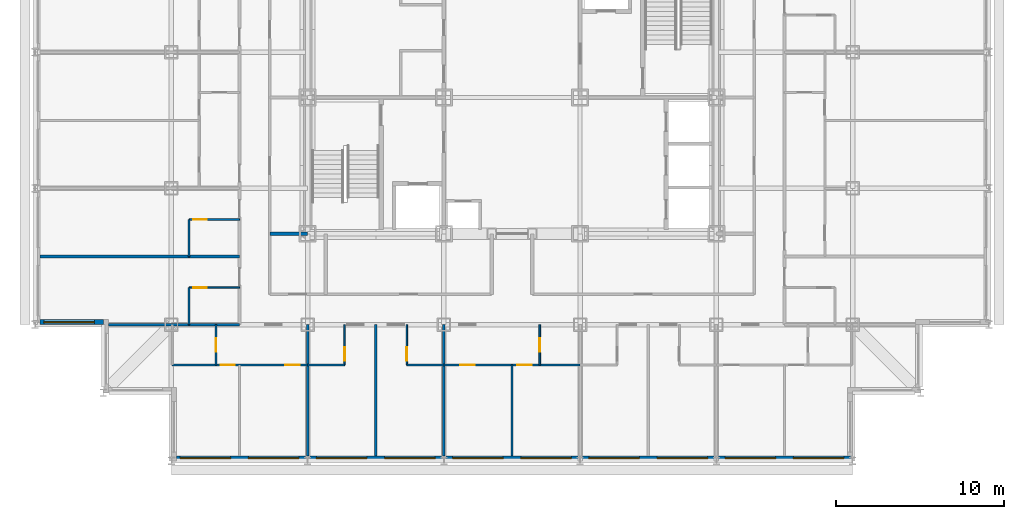
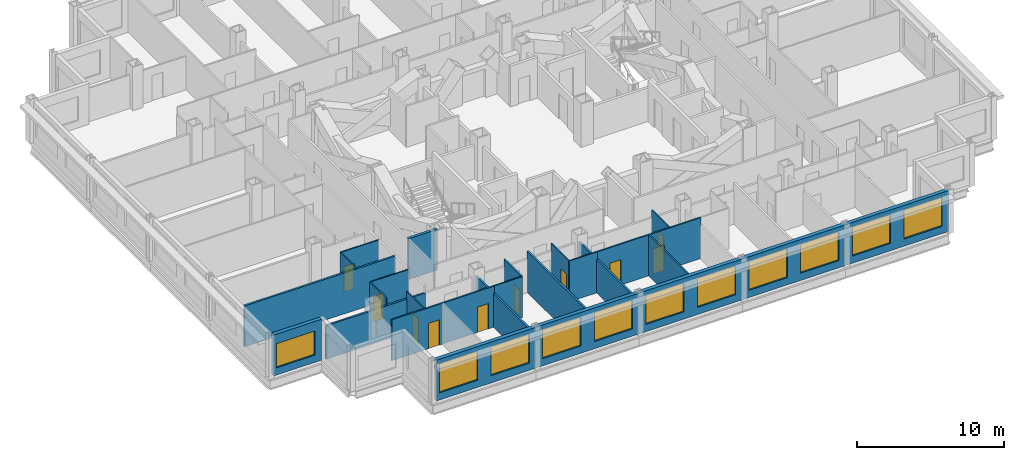
# One storey, part 4 of 12: 21 walls, 11 windows, 10 doors, 21 openings.
"""IFC4 building model written with IfcOpenShell, lengths in metres."""

from ifc_helpers import new_model, si_unit, direction, frame, frame_2d, origin, place, context, subcontext, project, spatial, rectangle, extrude, material, layer, layer_set, type_object, element, fill, save


model = new_model("IFC4")

# Units and contexts
model_context = context("Model", 3, precision=1e-05, world=origin(), true_north=direction((0.0, 1.0)))
body_context = subcontext(model_context, "Body", "Model", "MODEL_VIEW")
ifc_project = project(units=[si_unit("LENGTHUNIT", "METRE"), si_unit("AREAUNIT", "SQUARE_METRE"), si_unit("VOLUMEUNIT", "CUBIC_METRE"), si_unit("PLANEANGLEUNIT", "RADIAN"), si_unit("MASSUNIT", "GRAM", prefix="KILO")], contexts=[model_context])

# Site, building, storey
site_placement = place(None, origin())
site = spatial("IfcSite", under=ifc_project, at=site_placement, CompositionType="ELEMENT")
building_placement = place(site_placement, origin())
building = spatial("IfcBuilding", under=site, at=building_placement, Name="Kopane Lantern Tower", CompositionType="ELEMENT")
storey_placement = place(building_placement, frame((0.0, 0.0, 170.39990234375)))
storey = spatial("IfcBuildingStorey", under=building, at=storey_placement, Name="L43", CompositionType="ELEMENT", Elevation=170.39990234375)

# Wall, openings, doors
ifc_material_1 = material(Name="Gypsum board on steel studs", Category="steel")
ifc_layer_1 = layer(ifc_material_1, 0.1201171875)
ifc_layer_set_1 = layer_set([ifc_layer_1], Name="APARTMENT INTERNAL WALL 120")
wall_type_1 = type_object("IfcWallType", Name="APARTMENT INTERNAL WALL 120", PredefinedType="PARTITIONING", material=ifc_layer_set_1)
wall_1_placement = place(storey_placement, frame((24.300048828125, 16.5, 0.0), z_axis=(0.0, 0.0, 1.0), x_axis=(1.0, 0.0, 0.0)))
wall_1 = element("IfcWall", 1, at=wall_1_placement, inside=storey, type_object=wall_type_1, Name="Apartment Internal Wall 120 L43", PredefinedType="PARTITIONING", context=body_context, shape_type="SweptSolid", body=[
    extrude(rectangle(XDim=8.099853515625, YDim=0.1201171875, at=frame_2d((4.0498046875, 0.0))), origin(), (0.0, 0.0, 1.0), 3.39013671875),
])
opening_1_placement = place(wall_1_placement, frame((0.97509765625, 0.0, 0.0)))
opening_1 = element("IfcOpeningElement", 2, at=opening_1_placement, cuts=wall_1, Name="Opening L43-014", PredefinedType="OPENING", context=body_context, shape_type="SweptSolid", body=[
    extrude(rectangle(XDim=0.85009765625, YDim=2.10009765625, at=frame_2d((0.425048828125, 1.050048828125))), frame((0.0, 0.070068359375, 0.0), z_axis=(0.0, -1.0, 0.0), x_axis=(1.0, 0.0, 0.0)), (0.0, 0.0, 1.0), 0.14013671875),
])
opening_2_placement = place(wall_1_placement, frame((4.375, 0.0, 0.0)))
opening_2 = element("IfcOpeningElement", 3, at=opening_2_placement, cuts=wall_1, Name="Opening L43-015", PredefinedType="OPENING", context=body_context, shape_type="SweptSolid", body=[
    extrude(rectangle(XDim=0.85009765625, YDim=2.10009765625, at=frame_2d((0.425048828125, 1.050048828125))), frame((0.0, 0.070068359375, 0.0), z_axis=(0.0, -1.0, 0.0), x_axis=(1.0, 0.0, 0.0)), (0.0, 0.0, 1.0), 0.14013671875),
])
ifc_material_2 = material(Name="Timber door set", Category="wood")
door_type_1 = type_object("IfcDoorType", Name="DOOR D4 850x2100", OperationType="SINGLE_SWING_LEFT", PredefinedType="DOOR", material=ifc_material_2)
door_1_placement = place(opening_1_placement, origin())
door_1 = element("IfcDoor", 4, at=door_1_placement, inside=storey, type_object=door_type_1, Name="Door L43-014", OperationType="SINGLE_SWING_LEFT", OverallHeight=2.10009765625, OverallWidth=0.85009765625, PredefinedType="DOOR", context=body_context, shape_type="SweptSolid", body=[
    extrude(rectangle(XDim=0.85009765625, YDim=2.10009765625, at=frame_2d((0.425048828125, 1.050048828125))), frame((0.0, 0.02490234375, 0.0), z_axis=(0.0, -1.0, 0.0), x_axis=(1.0, 0.0, 0.0)), (0.0, 0.0, 1.0), 0.050048828125),
])
fill(opening_1, door_1)
door_2_placement = place(opening_2_placement, origin())
door_2 = element("IfcDoor", 5, at=door_2_placement, inside=storey, type_object=door_type_1, Name="Door L43-015", OperationType="SINGLE_SWING_RIGHT", OverallHeight=2.10009765625, OverallWidth=0.85009765625, PredefinedType="DOOR", context=body_context, shape_type="SweptSolid", body=[
    extrude(rectangle(XDim=0.85009765625, YDim=2.10009765625, at=frame_2d((0.425048828125, 1.050048828125))), frame((0.0, 0.02490234375, 0.0), z_axis=(0.0, -1.0, 0.0), x_axis=(1.0, 0.0, 0.0)), (0.0, 0.0, 1.0), 0.050048828125),
])
fill(opening_2, door_2)

# Wall
wall_2_placement = place(storey_placement, frame((28.35009765625, 16.5, 0.0), z_axis=(0.0, 0.0, 1.0), x_axis=(0.0, -1.0, 0.0)))
element("IfcWall", 6, at=wall_2_placement, inside=storey, type_object=wall_type_1, Name="Apartment Internal Wall 120 L43", PredefinedType="PARTITIONING", context=body_context, shape_type="SweptSolid", body=[
    extrude(rectangle(XDim=5.39990234375, YDim=0.1201171875, at=frame_2d((2.699951171875, 0.0))), origin(), (0.0, 0.0, 1.0), 3.39013671875),
])

# Wall, openings, doors
wall_3_placement = place(storey_placement, frame((8.14990234375, 16.5, 0.0), z_axis=(0.0, 0.0, 1.0), x_axis=(1.0, 0.0, 0.0)))
wall_3 = element("IfcWall", 7, at=wall_3_placement, inside=storey, type_object=wall_type_1, Name="Apartment Internal Wall 120 L43", PredefinedType="PARTITIONING", context=body_context, shape_type="SweptSolid", body=[
    extrude(rectangle(XDim=8.050048828125, YDim=0.1201171875, at=frame_2d((4.02490234375, 0.0))), origin(), (0.0, 0.0, 1.0), 3.39013671875),
])
opening_3_placement = place(wall_3_placement, frame((6.72509765625, 0.0, 0.0)))
opening_3 = element("IfcOpeningElement", 8, at=opening_3_placement, cuts=wall_3, Name="Opening L43-055", PredefinedType="OPENING", context=body_context, shape_type="SweptSolid", body=[
    extrude(rectangle(XDim=0.85009765625, YDim=2.10009765625, at=frame_2d((0.425048828125, 1.050048828125))), frame((0.0, 0.070068359375, 0.0), z_axis=(0.0, -1.0, 0.0), x_axis=(1.0, 0.0, 0.0)), (0.0, 0.0, 1.0), 0.14013671875),
])
opening_4_placement = place(wall_3_placement, frame((2.875, 0.0, 0.0)))
opening_4 = element("IfcOpeningElement", 9, at=opening_4_placement, cuts=wall_3, Name="Opening L43-057", PredefinedType="OPENING", context=body_context, shape_type="SweptSolid", body=[
    extrude(rectangle(XDim=0.85009765625, YDim=2.10009765625, at=frame_2d((0.425048828125, 1.050048828125))), frame((0.0, 0.070068359375, 0.0), z_axis=(0.0, -1.0, 0.0), x_axis=(1.0, 0.0, 0.0)), (0.0, 0.0, 1.0), 0.14013671875),
])
door_3_placement = place(opening_3_placement, origin())
door_3 = element("IfcDoor", 10, at=door_3_placement, inside=storey, type_object=door_type_1, Name="Door L43-055", OperationType="SINGLE_SWING_RIGHT", OverallHeight=2.10009765625, OverallWidth=0.85009765625, PredefinedType="DOOR", context=body_context, shape_type="SweptSolid", body=[
    extrude(rectangle(XDim=0.85009765625, YDim=2.10009765625, at=frame_2d((0.425048828125, 1.050048828125))), frame((0.0, 0.02490234375, 0.0), z_axis=(0.0, -1.0, 0.0), x_axis=(1.0, 0.0, 0.0)), (0.0, 0.0, 1.0), 0.050048828125),
])
fill(opening_3, door_3)
door_4_placement = place(opening_4_placement, origin())
door_4 = element("IfcDoor", 11, at=door_4_placement, inside=storey, type_object=door_type_1, Name="Door L43-057", OperationType="SINGLE_SWING_LEFT", OverallHeight=2.10009765625, OverallWidth=0.85009765625, PredefinedType="DOOR", context=body_context, shape_type="SweptSolid", body=[
    extrude(rectangle(XDim=0.85009765625, YDim=2.10009765625, at=frame_2d((0.425048828125, 1.050048828125))), frame((0.0, 0.02490234375, 0.0), z_axis=(0.0, -1.0, 0.0), x_axis=(1.0, 0.0, 0.0)), (0.0, 0.0, 1.0), 0.050048828125),
])
fill(opening_4, door_4)

# Wall
ifc_material_3 = material(Name="Moisture-resistant board on steel studs", Category="steel")
ifc_layer_2 = layer(ifc_material_3, 0.10009765625)
ifc_layer_set_2 = layer_set([ifc_layer_2], Name="BATHROOM WALL 100")
wall_type_2 = type_object("IfcWallType", Name="BATHROOM WALL 100", PredefinedType="PARTITIONING", material=ifc_layer_set_2)
wall_4_placement = place(storey_placement, frame((16.199951171875, 16.5, 0.0), z_axis=(0.0, 0.0, 1.0), x_axis=(1.0, 0.0, 0.0)))
element("IfcWall", 12, at=wall_4_placement, inside=storey, type_object=wall_type_2, Name="Bathroom Wall 100 L43", PredefinedType="PARTITIONING", context=body_context, shape_type="SweptSolid", body=[
    extrude(rectangle(XDim=2.199951171875, YDim=0.10009765625, at=frame_2d((1.10009765625, 0.0))), origin(), (0.0, 0.0, 1.0), 3.39013671875),
])

# Wall, opening, door
wall_5_placement = place(storey_placement, frame((18.39990234375, 18.89990234375, 0.0), z_axis=(0.0, 0.0, 1.0), x_axis=(0.0, -1.0, 0.0)))
wall_5 = element("IfcWall", 13, at=wall_5_placement, inside=storey, type_object=wall_type_2, Name="Bathroom Wall 100 L43", PredefinedType="PARTITIONING", context=body_context, shape_type="SweptSolid", body=[
    extrude(rectangle(XDim=2.39990234375, YDim=0.10009765625, at=frame_2d((1.199951171875, 0.0))), origin(), (0.0, 0.0, 1.0), 3.39013671875),
])
opening_5_placement = place(wall_5_placement, frame((1.35009765625, 0.0, 0.0)))
opening_5 = element("IfcOpeningElement", 14, at=opening_5_placement, cuts=wall_5, Name="Opening L43-008", PredefinedType="OPENING", context=body_context, shape_type="SweptSolid", body=[
    extrude(rectangle(XDim=0.800048828125, YDim=2.10009765625, at=frame_2d((0.39990234375, 1.050048828125))), frame((0.0, 0.06005859375, 0.0), z_axis=(0.0, -1.0, 0.0), x_axis=(1.0, 0.0, 0.0)), (0.0, 0.0, 1.0), 0.1201171875),
])
ifc_material_4 = material(Name="Timber door set", Category="wood")
door_type_2 = type_object("IfcDoorType", Name="DOOR D2 800x2100", OperationType="SINGLE_SWING_LEFT", PredefinedType="DOOR", material=ifc_material_4)
door_5_placement = place(opening_5_placement, origin())
door_5 = element("IfcDoor", 15, at=door_5_placement, inside=storey, type_object=door_type_2, Name="Door L43-008", OperationType="SINGLE_SWING_LEFT", OverallHeight=2.10009765625, OverallWidth=0.800048828125, PredefinedType="DOOR", context=body_context, shape_type="SweptSolid", body=[
    extrude(rectangle(XDim=0.800048828125, YDim=2.10009765625, at=frame_2d((0.39990234375, 1.050048828125))), frame((0.0, 0.02490234375, 0.0), z_axis=(0.0, -1.0, 0.0), x_axis=(1.0, 0.0, 0.0)), (0.0, 0.0, 1.0), 0.050048828125),
])
fill(opening_5, door_5)

# Wall
wall_6_placement = place(storey_placement, frame((22.10009765625, 16.5, 0.0), z_axis=(0.0, 0.0, 1.0), x_axis=(1.0, 0.0, 0.0)))
element("IfcWall", 16, at=wall_6_placement, inside=storey, type_object=wall_type_2, Name="Bathroom Wall 100 L43", PredefinedType="PARTITIONING", context=body_context, shape_type="SweptSolid", body=[
    extrude(rectangle(XDim=2.199951171875, YDim=0.10009765625, at=frame_2d((1.10009765625, 0.0))), origin(), (0.0, 0.0, 1.0), 3.39013671875),
])

# Wall, opening, door
wall_7_placement = place(storey_placement, frame((22.10009765625, 18.89990234375, 0.0), z_axis=(0.0, 0.0, 1.0), x_axis=(0.0, -1.0, 0.0)))
wall_7 = element("IfcWall", 17, at=wall_7_placement, inside=storey, type_object=wall_type_2, Name="Bathroom Wall 100 L43", PredefinedType="PARTITIONING", context=body_context, shape_type="SweptSolid", body=[
    extrude(rectangle(XDim=2.39990234375, YDim=0.10009765625, at=frame_2d((1.199951171875, 0.0))), origin(), (0.0, 0.0, 1.0), 3.39013671875),
])
opening_6_placement = place(wall_7_placement, frame((1.35009765625, 0.0, 0.0)))
opening_6 = element("IfcOpeningElement", 18, at=opening_6_placement, cuts=wall_7, Name="Opening L43-010", PredefinedType="OPENING", context=body_context, shape_type="SweptSolid", body=[
    extrude(rectangle(XDim=0.800048828125, YDim=2.10009765625, at=frame_2d((0.39990234375, 1.050048828125))), frame((0.0, 0.06005859375, 0.0), z_axis=(0.0, -1.0, 0.0), x_axis=(1.0, 0.0, 0.0)), (0.0, 0.0, 1.0), 0.1201171875),
])
door_6_placement = place(opening_6_placement, origin())
door_6 = element("IfcDoor", 19, at=door_6_placement, inside=storey, type_object=door_type_2, Name="Door L43-010", OperationType="SINGLE_SWING_RIGHT", OverallHeight=2.10009765625, OverallWidth=0.800048828125, PredefinedType="DOOR", context=body_context, shape_type="SweptSolid", body=[
    extrude(rectangle(XDim=0.800048828125, YDim=2.10009765625, at=frame_2d((0.39990234375, 1.050048828125))), frame((0.0, 0.02490234375, 0.0), z_axis=(0.0, -1.0, 0.0), x_axis=(1.0, 0.0, 0.0)), (0.0, 0.0, 1.0), 0.050048828125),
])
fill(opening_6, door_6)

wall_8_placement = place(storey_placement, frame((30.0, 18.89990234375, 0.0), z_axis=(0.0, 0.0, 1.0), x_axis=(0.0, -1.0, 0.0)))
wall_8 = element("IfcWall", 20, at=wall_8_placement, inside=storey, type_object=wall_type_2, Name="Bathroom Wall 100 L43", PredefinedType="PARTITIONING", context=body_context, shape_type="SweptSolid", body=[
    extrude(rectangle(XDim=2.39990234375, YDim=0.10009765625, at=frame_2d((1.199951171875, 0.0))), origin(), (0.0, 0.0, 1.0), 3.39013671875),
])
opening_7_placement = place(wall_8_placement, frame((0.800048828125, 0.0, 0.0)))
opening_7 = element("IfcOpeningElement", 21, at=opening_7_placement, cuts=wall_8, Name="Opening L43-012", PredefinedType="OPENING", context=body_context, shape_type="SweptSolid", body=[
    extrude(rectangle(XDim=0.800048828125, YDim=2.10009765625, at=frame_2d((0.39990234375, 1.050048828125))), frame((0.0, 0.06005859375, 0.0), z_axis=(0.0, -1.0, 0.0), x_axis=(1.0, 0.0, 0.0)), (0.0, 0.0, 1.0), 0.1201171875),
])
door_7_placement = place(opening_7_placement, origin())
door_7 = element("IfcDoor", 22, at=door_7_placement, inside=storey, type_object=door_type_2, Name="Door L43-012", OperationType="SINGLE_SWING_LEFT", OverallHeight=2.10009765625, OverallWidth=0.800048828125, PredefinedType="DOOR", context=body_context, shape_type="SweptSolid", body=[
    extrude(rectangle(XDim=0.800048828125, YDim=2.10009765625, at=frame_2d((0.39990234375, 1.050048828125))), frame((0.0, 0.02490234375, 0.0), z_axis=(0.0, -1.0, 0.0), x_axis=(1.0, 0.0, 0.0)), (0.0, 0.0, 1.0), 0.050048828125),
])
fill(opening_7, door_7)

# Wall
wall_9_placement = place(storey_placement, frame((9.14990234375, 18.89990234375, 0.0), z_axis=(0.0, 0.0, 1.0), x_axis=(0.0, 1.0, 0.0)))
element("IfcWall", 23, at=wall_9_placement, inside=storey, type_object=wall_type_2, Name="Bathroom Wall 100 L43", PredefinedType="PARTITIONING", context=body_context, shape_type="SweptSolid", body=[
    extrude(rectangle(XDim=2.2001953125, YDim=0.10009765625, at=frame_2d((1.10009765625, 0.0))), origin(), (0.0, 0.0, 1.0), 3.39013671875),
])

# Wall, opening, door
wall_10_placement = place(storey_placement, frame((12.14990234375, 21.10009765625, 0.0), z_axis=(0.0, 0.0, 1.0), x_axis=(-1.0, 0.0, 0.0)))
wall_10 = element("IfcWall", 24, at=wall_10_placement, inside=storey, type_object=wall_type_2, Name="Bathroom Wall 100 L43", PredefinedType="PARTITIONING", context=body_context, shape_type="SweptSolid", body=[
    extrude(rectangle(XDim=3.0, YDim=0.10009765625, at=frame_2d((1.5, 0.0))), origin(), (0.0, 0.0, 1.0), 3.39013671875),
])
opening_8_placement = place(wall_10_placement, frame((1.949951171875, 0.0, 0.0)))
opening_8 = element("IfcOpeningElement", 25, at=opening_8_placement, cuts=wall_10, Name="Opening L43-032", PredefinedType="OPENING", context=body_context, shape_type="SweptSolid", body=[
    extrude(rectangle(XDim=0.800048828125, YDim=2.10009765625, at=frame_2d((0.39990234375, 1.050048828125))), frame((0.0, 0.06005859375, 0.0), z_axis=(0.0, -1.0, 0.0), x_axis=(1.0, 0.0, 0.0)), (0.0, 0.0, 1.0), 0.1201171875),
])
door_8_placement = place(opening_8_placement, origin())
door_8 = element("IfcDoor", 26, at=door_8_placement, inside=storey, type_object=door_type_2, Name="Door L43-032", OperationType="SINGLE_SWING_RIGHT", OverallHeight=2.10009765625, OverallWidth=0.800048828125, PredefinedType="DOOR", context=body_context, shape_type="SweptSolid", body=[
    extrude(rectangle(XDim=0.800048828125, YDim=2.10009765625, at=frame_2d((0.39990234375, 1.050048828125))), frame((0.0, 0.02490234375, 0.0), z_axis=(0.0, -1.0, 0.0), x_axis=(1.0, 0.0, 0.0)), (0.0, 0.0, 1.0), 0.050048828125),
])
fill(opening_8, door_8)

# Wall
wall_11_placement = place(storey_placement, frame((9.14990234375, 22.949951171875, 0.0), z_axis=(0.0, 0.0, 1.0), x_axis=(0.0, 1.0, 0.0)))
element("IfcWall", 27, at=wall_11_placement, inside=storey, type_object=wall_type_2, Name="Bathroom Wall 100 L43", PredefinedType="PARTITIONING", context=body_context, shape_type="SweptSolid", body=[
    extrude(rectangle(XDim=2.199951171875, YDim=0.10009765625, at=frame_2d((1.10009765625, 0.0))), origin(), (0.0, 0.0, 1.0), 3.39013671875),
])

# Wall, opening, door
wall_12_placement = place(storey_placement, frame((12.14990234375, 25.14990234375, 0.0), z_axis=(0.0, 0.0, 1.0), x_axis=(-1.0, 0.0, 0.0)))
wall_12 = element("IfcWall", 28, at=wall_12_placement, inside=storey, type_object=wall_type_2, Name="Bathroom Wall 100 L43", PredefinedType="PARTITIONING", context=body_context, shape_type="SweptSolid", body=[
    extrude(rectangle(XDim=3.0, YDim=0.10009765625, at=frame_2d((1.5, 0.0))), origin(), (0.0, 0.0, 1.0), 3.39013671875),
])
opening_9_placement = place(wall_12_placement, frame((1.949951171875, 0.0, 0.0)))
opening_9 = element("IfcOpeningElement", 29, at=opening_9_placement, cuts=wall_12, Name="Opening L43-034", PredefinedType="OPENING", context=body_context, shape_type="SweptSolid", body=[
    extrude(rectangle(XDim=0.800048828125, YDim=2.10009765625, at=frame_2d((0.39990234375, 1.050048828125))), frame((0.0, 0.06005859375, 0.0), z_axis=(0.0, -1.0, 0.0), x_axis=(1.0, 0.0, 0.0)), (0.0, 0.0, 1.0), 0.1201171875),
])
door_9_placement = place(opening_9_placement, origin())
door_9 = element("IfcDoor", 30, at=door_9_placement, inside=storey, type_object=door_type_2, Name="Door L43-034", OperationType="SINGLE_SWING_RIGHT", OverallHeight=2.10009765625, OverallWidth=0.800048828125, PredefinedType="DOOR", context=body_context, shape_type="SweptSolid", body=[
    extrude(rectangle(XDim=0.800048828125, YDim=2.10009765625, at=frame_2d((0.39990234375, 1.050048828125))), frame((0.0, 0.02490234375, 0.0), z_axis=(0.0, -1.0, 0.0), x_axis=(1.0, 0.0, 0.0)), (0.0, 0.0, 1.0), 0.050048828125),
])
fill(opening_9, door_9)

wall_13_placement = place(storey_placement, frame((10.75, 18.89990234375, 0.0), z_axis=(0.0, 0.0, 1.0), x_axis=(0.0, -1.0, 0.0)))
wall_13 = element("IfcWall", 31, at=wall_13_placement, inside=storey, type_object=wall_type_2, Name="Bathroom Wall 100 L43", PredefinedType="PARTITIONING", context=body_context, shape_type="SweptSolid", body=[
    extrude(rectangle(XDim=2.39990234375, YDim=0.10009765625, at=frame_2d((1.199951171875, 0.0))), origin(), (0.0, 0.0, 1.0), 3.39013671875),
])
opening_10_placement = place(wall_13_placement, frame((0.800048828125, 0.0, 0.0)))
opening_10 = element("IfcOpeningElement", 32, at=opening_10_placement, cuts=wall_13, Name="Opening L43-056", PredefinedType="OPENING", context=body_context, shape_type="SweptSolid", body=[
    extrude(rectangle(XDim=0.800048828125, YDim=2.10009765625, at=frame_2d((0.39990234375, 1.050048828125))), frame((0.0, 0.06005859375, 0.0), z_axis=(0.0, -1.0, 0.0), x_axis=(1.0, 0.0, 0.0)), (0.0, 0.0, 1.0), 0.1201171875),
])
door_10_placement = place(opening_10_placement, origin())
door_10 = element("IfcDoor", 33, at=door_10_placement, inside=storey, type_object=door_type_2, Name="Door L43-056", OperationType="SINGLE_SWING_RIGHT", OverallHeight=2.10009765625, OverallWidth=0.800048828125, PredefinedType="DOOR", context=body_context, shape_type="SweptSolid", body=[
    extrude(rectangle(XDim=0.800048828125, YDim=2.10009765625, at=frame_2d((0.39990234375, 1.050048828125))), frame((0.0, 0.02490234375, 0.0), z_axis=(0.0, -1.0, 0.0), x_axis=(1.0, 0.0, 0.0)), (0.0, 0.0, 1.0), 0.050048828125),
])
fill(opening_10, door_10)

# Walls
ifc_material_5 = material(Name="Gypsum board on steel studs", Category="steel")
ifc_layer_3 = layer(ifc_material_5, 0.14990234375)
ifc_layer_set_3 = layer_set([ifc_layer_3], Name="DEMISING WALL 150 EI 60")
wall_type_3 = type_object("IfcWallType", Name="DEMISING WALL 150 EI 60", PredefinedType="PARTITIONING", material=ifc_layer_set_3)
wall_14_placement = place(storey_placement, frame((20.25, 18.89990234375, 0.0), z_axis=(0.0, 0.0, 1.0), x_axis=(0.0, -1.0, 0.0)))
element("IfcWall", 34, at=wall_14_placement, inside=storey, type_object=wall_type_3, Name="Demising Wall 150 Ei 60 L43", PredefinedType="PARTITIONING", context=body_context, shape_type="SweptSolid", body=[
    extrude(rectangle(XDim=7.7998046875, YDim=0.14990234375, at=frame_2d((3.89990234375, 0.0))), origin(), (0.0, 0.0, 1.0), 3.39013671875),
])
wall_15_placement = place(storey_placement, frame((24.300048828125, 18.89990234375, 0.0), z_axis=(0.0, 0.0, 1.0), x_axis=(0.0, -1.0, 0.0)))
element("IfcWall", 35, at=wall_15_placement, inside=storey, type_object=wall_type_3, Name="Demising Wall 150 Ei 60 L43", PredefinedType="PARTITIONING", context=body_context, shape_type="SweptSolid", body=[
    extrude(rectangle(XDim=7.7998046875, YDim=0.14990234375, at=frame_2d((3.89990234375, 0.0))), origin(), (0.0, 0.0, 1.0), 2.77783203125),
])
wall_16_placement = place(storey_placement, frame((12.14990234375, 22.949951171875, 0.0), z_axis=(0.0, 0.0, 1.0), x_axis=(-1.0, 0.0, 0.0)))
element("IfcWall", 36, at=wall_16_placement, inside=storey, type_object=wall_type_3, Name="Demising Wall 150 Ei 60 L43", PredefinedType="PARTITIONING", context=body_context, shape_type="SweptSolid", body=[
    extrude(rectangle(XDim=11.849853515625, YDim=0.14990234375, at=frame_2d((5.9248046875, 0.0))), origin(), (0.0, 0.0, 1.0), 3.39013671875),
])
for number, where, z_axis, x_axis, name in (
    (37, (4.35009765625, 18.89990234375, 0.0), (0.0, 0.0, 1.0), (1.0, 0.0, 0.0), "Demising Wall 150 Ei 60 L43"),
    (38, (16.199951171875, 18.89990234375, 0.0), (0.0, 0.0, 1.0), (0.0, -1.0, 0.0), "Demising Wall 150 Ei 60 L43"),
):
    element("IfcWall", number, at=place(storey_placement, frame(where, z_axis=z_axis, x_axis=x_axis)), inside=storey, type_object=wall_type_3, Name=name, PredefinedType="PARTITIONING", context=body_context, shape_type="SweptSolid", body=[
        extrude(rectangle(XDim=7.7998046875, YDim=0.14990234375, at=frame_2d((3.89990234375, 0.0))), origin(), (0.0, 0.0, 1.0), 2.77783203125),
    ])

# Wall, openings, windows
ifc_material_6 = material(Name="Terracotta rainscreen on light steel framing", Category="masonry")
ifc_layer_4 = layer(ifc_material_6, 0.300048828125)
ifc_layer_set_4 = layer_set([ifc_layer_4], Name="EXTERNAL WALL EW1 300 TERRACOTTA")
wall_type_4 = type_object("IfcWallType", Name="EXTERNAL WALL EW1 300 TERRACOTTA", PredefinedType="SOLIDWALL", material=ifc_layer_set_4)
wall_17_placement = place(storey_placement, frame((8.39990234375, 10.949951171875, 0.0), z_axis=(0.0, 0.0, 1.0), x_axis=(1.0, 0.0, 0.0)))
wall_17 = element("IfcWall", 39, at=wall_17_placement, inside=storey, type_object=wall_type_4, Name="External wall S L43", PredefinedType="SOLIDWALL", context=body_context, shape_type="SweptSolid", body=[
    extrude(rectangle(XDim=40.2001953125, YDim=0.300048828125, at=frame_2d((20.10009765625, 0.0))), origin(), (0.0, 0.0, 1.0), 3.39013671875),
])
opening_11_placement = place(wall_17_placement, frame((0.22509765625, 0.0, 0.60009765625)))
opening_11 = element("IfcOpeningElement", 40, at=opening_11_placement, cuts=wall_17, Name="Opening WR300240", PredefinedType="OPENING", context=body_context, shape_type="SweptSolid", body=[
    extrude(rectangle(XDim=3.0, YDim=2.39990234375, at=frame_2d((1.5, 1.199951171875))), frame((0.0, 0.159912109375, 0.0), z_axis=(0.0, -1.0, 0.0), x_axis=(1.0, 0.0, 0.0)), (0.0, 0.0, 1.0), 0.320068359375),
])
opening_12_placement = place(wall_17_placement, frame((4.27490234375, 0.0, 0.60009765625)))
opening_12 = element("IfcOpeningElement", 41, at=opening_12_placement, cuts=wall_17, Name="Opening WR300240", PredefinedType="OPENING", context=body_context, shape_type="SweptSolid", body=[
    extrude(rectangle(XDim=3.0, YDim=2.39990234375, at=frame_2d((1.5, 1.199951171875))), frame((0.0, 0.159912109375, 0.0), z_axis=(0.0, -1.0, 0.0), x_axis=(1.0, 0.0, 0.0)), (0.0, 0.0, 1.0), 0.320068359375),
])
opening_13_placement = place(wall_17_placement, frame((8.324951171875, 0.0, 0.60009765625)))
opening_13 = element("IfcOpeningElement", 42, at=opening_13_placement, cuts=wall_17, Name="Opening WR300240", PredefinedType="OPENING", context=body_context, shape_type="SweptSolid", body=[
    extrude(rectangle(XDim=3.0, YDim=2.39990234375, at=frame_2d((1.5, 1.199951171875))), frame((0.0, 0.159912109375, 0.0), z_axis=(0.0, -1.0, 0.0), x_axis=(1.0, 0.0, 0.0)), (0.0, 0.0, 1.0), 0.320068359375),
])
opening_14_placement = place(wall_17_placement, frame((12.375, 0.0, 0.60009765625)))
opening_14 = element("IfcOpeningElement", 43, at=opening_14_placement, cuts=wall_17, Name="Opening WR300240", PredefinedType="OPENING", context=body_context, shape_type="SweptSolid", body=[
    extrude(rectangle(XDim=3.0, YDim=2.39990234375, at=frame_2d((1.5, 1.199951171875))), frame((0.0, 0.159912109375, 0.0), z_axis=(0.0, -1.0, 0.0), x_axis=(1.0, 0.0, 0.0)), (0.0, 0.0, 1.0), 0.320068359375),
])
opening_15_placement = place(wall_17_placement, frame((16.425048828125, 0.0, 0.60009765625)))
opening_15 = element("IfcOpeningElement", 44, at=opening_15_placement, cuts=wall_17, Name="Opening WR300240", PredefinedType="OPENING", context=body_context, shape_type="SweptSolid", body=[
    extrude(rectangle(XDim=3.0, YDim=2.39990234375, at=frame_2d((1.5, 1.199951171875))), frame((0.0, 0.159912109375, 0.0), z_axis=(0.0, -1.0, 0.0), x_axis=(1.0, 0.0, 0.0)), (0.0, 0.0, 1.0), 0.320068359375),
])
opening_16_placement = place(wall_17_placement, frame((20.47509765625, 0.0, 0.60009765625)))
opening_16 = element("IfcOpeningElement", 45, at=opening_16_placement, cuts=wall_17, Name="Opening WR300240", PredefinedType="OPENING", context=body_context, shape_type="SweptSolid", body=[
    extrude(rectangle(XDim=3.0, YDim=2.39990234375, at=frame_2d((1.5, 1.199951171875))), frame((0.0, 0.159912109375, 0.0), z_axis=(0.0, -1.0, 0.0), x_axis=(1.0, 0.0, 0.0)), (0.0, 0.0, 1.0), 0.320068359375),
])
opening_17_placement = place(wall_17_placement, frame((24.52490234375, 0.0, 0.60009765625)))
opening_17 = element("IfcOpeningElement", 46, at=opening_17_placement, cuts=wall_17, Name="Opening WR300240", PredefinedType="OPENING", context=body_context, shape_type="SweptSolid", body=[
    extrude(rectangle(XDim=3.0, YDim=2.39990234375, at=frame_2d((1.5, 1.199951171875))), frame((0.0, 0.159912109375, 0.0), z_axis=(0.0, -1.0, 0.0), x_axis=(1.0, 0.0, 0.0)), (0.0, 0.0, 1.0), 0.320068359375),
])
opening_18_placement = place(wall_17_placement, frame((28.574951171875, 0.0, 0.60009765625)))
opening_18 = element("IfcOpeningElement", 47, at=opening_18_placement, cuts=wall_17, Name="Opening WR300240", PredefinedType="OPENING", context=body_context, shape_type="SweptSolid", body=[
    extrude(rectangle(XDim=3.0, YDim=2.39990234375, at=frame_2d((1.5, 1.199951171875))), frame((0.0, 0.159912109375, 0.0), z_axis=(0.0, -1.0, 0.0), x_axis=(1.0, 0.0, 0.0)), (0.0, 0.0, 1.0), 0.320068359375),
])
opening_19_placement = place(wall_17_placement, frame((32.625, 0.0, 0.60009765625)))
opening_19 = element("IfcOpeningElement", 48, at=opening_19_placement, cuts=wall_17, Name="Opening WR300240", PredefinedType="OPENING", context=body_context, shape_type="SweptSolid", body=[
    extrude(rectangle(XDim=3.0, YDim=2.39990234375, at=frame_2d((1.5, 1.199951171875))), frame((0.0, 0.159912109375, 0.0), z_axis=(0.0, -1.0, 0.0), x_axis=(1.0, 0.0, 0.0)), (0.0, 0.0, 1.0), 0.320068359375),
])
opening_20_placement = place(wall_17_placement, frame((36.675048828125, 0.0, 0.60009765625)))
opening_20 = element("IfcOpeningElement", 49, at=opening_20_placement, cuts=wall_17, Name="Opening WR300240", PredefinedType="OPENING", context=body_context, shape_type="SweptSolid", body=[
    extrude(rectangle(XDim=3.0, YDim=2.39990234375, at=frame_2d((1.5, 1.199951171875))), frame((0.0, 0.159912109375, 0.0), z_axis=(0.0, -1.0, 0.0), x_axis=(1.0, 0.0, 0.0)), (0.0, 0.0, 1.0), 0.320068359375),
])
ifc_material_7 = material(Name="Aluminium and clear glass", Category="aluminium")
window_type_1 = type_object("IfcWindowType", Name="RIBBON WINDOW WR300240 3000x2400", PartitioningType="SINGLE_PANEL", PredefinedType="WINDOW", material=ifc_material_7)
window_1_placement = place(opening_11_placement, origin())
window_1 = element("IfcWindow", 50, at=window_1_placement, inside=storey, type_object=window_type_1, Name="Window S L43", OverallHeight=2.39990234375, OverallWidth=3.0, PartitioningType="SINGLE_PANEL", PredefinedType="WINDOW", context=body_context, shape_type="SweptSolid", body=[
    extrude(rectangle(XDim=3.0, YDim=2.39990234375, at=frame_2d((1.5, 1.199951171875))), frame((0.0, 0.030029296875, 0.0), z_axis=(0.0, -1.0, 0.0), x_axis=(1.0, 0.0, 0.0)), (0.0, 0.0, 1.0), 0.06005859375),
])
fill(opening_11, window_1)
window_2_placement = place(opening_12_placement, origin())
window_2 = element("IfcWindow", 51, at=window_2_placement, inside=storey, type_object=window_type_1, Name="Window S L43", OverallHeight=2.39990234375, OverallWidth=3.0, PartitioningType="SINGLE_PANEL", PredefinedType="WINDOW", context=body_context, shape_type="SweptSolid", body=[
    extrude(rectangle(XDim=3.0, YDim=2.39990234375, at=frame_2d((1.5, 1.199951171875))), frame((0.0, 0.030029296875, 0.0), z_axis=(0.0, -1.0, 0.0), x_axis=(1.0, 0.0, 0.0)), (0.0, 0.0, 1.0), 0.06005859375),
])
fill(opening_12, window_2)
window_3_placement = place(opening_13_placement, origin())
window_3 = element("IfcWindow", 52, at=window_3_placement, inside=storey, type_object=window_type_1, Name="Window S L43", OverallHeight=2.39990234375, OverallWidth=3.0, PartitioningType="SINGLE_PANEL", PredefinedType="WINDOW", context=body_context, shape_type="SweptSolid", body=[
    extrude(rectangle(XDim=3.0, YDim=2.39990234375, at=frame_2d((1.5, 1.199951171875))), frame((0.0, 0.030029296875, 0.0), z_axis=(0.0, -1.0, 0.0), x_axis=(1.0, 0.0, 0.0)), (0.0, 0.0, 1.0), 0.06005859375),
])
fill(opening_13, window_3)
window_4_placement = place(opening_14_placement, origin())
window_4 = element("IfcWindow", 53, at=window_4_placement, inside=storey, type_object=window_type_1, Name="Window S L43", OverallHeight=2.39990234375, OverallWidth=3.0, PartitioningType="SINGLE_PANEL", PredefinedType="WINDOW", context=body_context, shape_type="SweptSolid", body=[
    extrude(rectangle(XDim=3.0, YDim=2.39990234375, at=frame_2d((1.5, 1.199951171875))), frame((0.0, 0.030029296875, 0.0), z_axis=(0.0, -1.0, 0.0), x_axis=(1.0, 0.0, 0.0)), (0.0, 0.0, 1.0), 0.06005859375),
])
fill(opening_14, window_4)
window_5_placement = place(opening_15_placement, origin())
window_5 = element("IfcWindow", 54, at=window_5_placement, inside=storey, type_object=window_type_1, Name="Window S L43", OverallHeight=2.39990234375, OverallWidth=3.0, PartitioningType="SINGLE_PANEL", PredefinedType="WINDOW", context=body_context, shape_type="SweptSolid", body=[
    extrude(rectangle(XDim=3.0, YDim=2.39990234375, at=frame_2d((1.5, 1.199951171875))), frame((0.0, 0.030029296875, 0.0), z_axis=(0.0, -1.0, 0.0), x_axis=(1.0, 0.0, 0.0)), (0.0, 0.0, 1.0), 0.06005859375),
])
fill(opening_15, window_5)
window_6_placement = place(opening_16_placement, origin())
window_6 = element("IfcWindow", 55, at=window_6_placement, inside=storey, type_object=window_type_1, Name="Window S L43", OverallHeight=2.39990234375, OverallWidth=3.0, PartitioningType="SINGLE_PANEL", PredefinedType="WINDOW", context=body_context, shape_type="SweptSolid", body=[
    extrude(rectangle(XDim=3.0, YDim=2.39990234375, at=frame_2d((1.5, 1.199951171875))), frame((0.0, 0.030029296875, 0.0), z_axis=(0.0, -1.0, 0.0), x_axis=(1.0, 0.0, 0.0)), (0.0, 0.0, 1.0), 0.06005859375),
])
fill(opening_16, window_6)
window_7_placement = place(opening_17_placement, origin())
window_7 = element("IfcWindow", 56, at=window_7_placement, inside=storey, type_object=window_type_1, Name="Window S L43", OverallHeight=2.39990234375, OverallWidth=3.0, PartitioningType="SINGLE_PANEL", PredefinedType="WINDOW", context=body_context, shape_type="SweptSolid", body=[
    extrude(rectangle(XDim=3.0, YDim=2.39990234375, at=frame_2d((1.5, 1.199951171875))), frame((0.0, 0.030029296875, 0.0), z_axis=(0.0, -1.0, 0.0), x_axis=(1.0, 0.0, 0.0)), (0.0, 0.0, 1.0), 0.06005859375),
])
fill(opening_17, window_7)
window_8_placement = place(opening_18_placement, origin())
window_8 = element("IfcWindow", 57, at=window_8_placement, inside=storey, type_object=window_type_1, Name="Window S L43", OverallHeight=2.39990234375, OverallWidth=3.0, PartitioningType="SINGLE_PANEL", PredefinedType="WINDOW", context=body_context, shape_type="SweptSolid", body=[
    extrude(rectangle(XDim=3.0, YDim=2.39990234375, at=frame_2d((1.5, 1.199951171875))), frame((0.0, 0.030029296875, 0.0), z_axis=(0.0, -1.0, 0.0), x_axis=(1.0, 0.0, 0.0)), (0.0, 0.0, 1.0), 0.06005859375),
])
fill(opening_18, window_8)
window_9_placement = place(opening_19_placement, origin())
window_9 = element("IfcWindow", 58, at=window_9_placement, inside=storey, type_object=window_type_1, Name="Window S L43", OverallHeight=2.39990234375, OverallWidth=3.0, PartitioningType="SINGLE_PANEL", PredefinedType="WINDOW", context=body_context, shape_type="SweptSolid", body=[
    extrude(rectangle(XDim=3.0, YDim=2.39990234375, at=frame_2d((1.5, 1.199951171875))), frame((0.0, 0.030029296875, 0.0), z_axis=(0.0, -1.0, 0.0), x_axis=(1.0, 0.0, 0.0)), (0.0, 0.0, 1.0), 0.06005859375),
])
fill(opening_19, window_9)
window_10_placement = place(opening_20_placement, origin())
window_10 = element("IfcWindow", 59, at=window_10_placement, inside=storey, type_object=window_type_1, Name="Window S L43", OverallHeight=2.39990234375, OverallWidth=3.0, PartitioningType="SINGLE_PANEL", PredefinedType="WINDOW", context=body_context, shape_type="SweptSolid", body=[
    extrude(rectangle(XDim=3.0, YDim=2.39990234375, at=frame_2d((1.5, 1.199951171875))), frame((0.0, 0.030029296875, 0.0), z_axis=(0.0, -1.0, 0.0), x_axis=(1.0, 0.0, 0.0)), (0.0, 0.0, 1.0), 0.06005859375),
])
fill(opening_20, window_10)

# Wall, opening, window
wall_18_placement = place(storey_placement, frame((0.300048828125, 19.050048828125, 0.0), z_axis=(0.0, 0.0, 1.0), x_axis=(1.0, 0.0, 0.0)))
wall_18 = element("IfcWall", 60, at=wall_18_placement, inside=storey, type_object=wall_type_4, Name="External wall S L43", PredefinedType="SOLIDWALL", context=body_context, shape_type="SweptSolid", body=[
    extrude(rectangle(XDim=3.75, YDim=0.300048828125, at=frame_2d((1.875, 0.0))), origin(), (0.0, 0.0, 1.0), 3.39013671875),
])
opening_21_placement = place(wall_18_placement, frame((0.22509765625, 0.0, 0.60009765625)))
opening_21 = element("IfcOpeningElement", 61, at=opening_21_placement, cuts=wall_18, Name="Opening WR300200", PredefinedType="OPENING", context=body_context, shape_type="SweptSolid", body=[
    extrude(rectangle(XDim=3.0, YDim=2.0, at=frame_2d((1.5, 1.0))), frame((0.0, 0.159912109375, 0.0), z_axis=(0.0, -1.0, 0.0), x_axis=(1.0, 0.0, 0.0)), (0.0, 0.0, 1.0), 0.320068359375),
])
ifc_material_8 = material(Name="Aluminium and clear glass", Category="aluminium")
window_type_2 = type_object("IfcWindowType", Name="RIBBON WINDOW WR300200 3000x2000", PartitioningType="SINGLE_PANEL", PredefinedType="WINDOW", material=ifc_material_8)
window_11_placement = place(opening_21_placement, origin())
window_11 = element("IfcWindow", 62, at=window_11_placement, inside=storey, type_object=window_type_2, Name="Window S L43", OverallHeight=2.0, OverallWidth=3.0, PartitioningType="SINGLE_PANEL", PredefinedType="WINDOW", context=body_context, shape_type="SweptSolid", body=[
    extrude(rectangle(XDim=3.0, YDim=2.0, at=frame_2d((1.5, 1.0))), frame((0.0, 0.030029296875, 0.0), z_axis=(0.0, -1.0, 0.0), x_axis=(1.0, 0.0, 0.0)), (0.0, 0.0, 1.0), 0.06005859375),
])
fill(opening_21, window_11)

# Wall
ifc_material_9 = material(Name="Concrete masonry", Category="masonry")
ifc_layer_5 = layer(ifc_material_9, 0.199951171875)
ifc_layer_set_5 = layer_set([ifc_layer_5], Name="PLANT ROOM WALL 200 EI 120")
wall_type_5 = type_object("IfcWallType", Name="PLANT ROOM WALL 200 EI 120", PredefinedType="SOLIDWALL", material=ifc_layer_set_5)
wall_19_placement = place(storey_placement, frame((13.949951171875, 24.300048828125, 0.0), z_axis=(0.0, 0.0, 1.0), x_axis=(1.0, 0.0, 0.0)))
element("IfcWall", 63, at=wall_19_placement, inside=storey, type_object=wall_type_5, Name="Plant Room Wall 200 Ei 120 L43", PredefinedType="SOLIDWALL", context=body_context, shape_type="SweptSolid", body=[
    extrude(rectangle(XDim=2.25, YDim=0.199951171875, at=frame_2d((1.125, 0.0))), origin(), (0.0, 0.0, 1.0), 3.39013671875),
])

save(model, "model.ifc")
